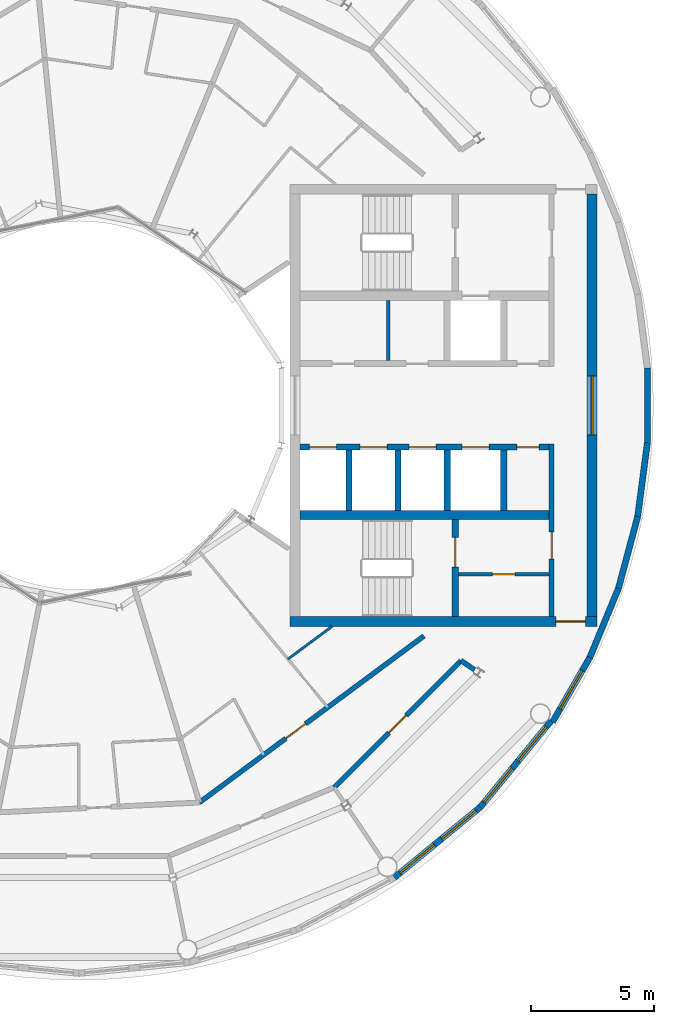
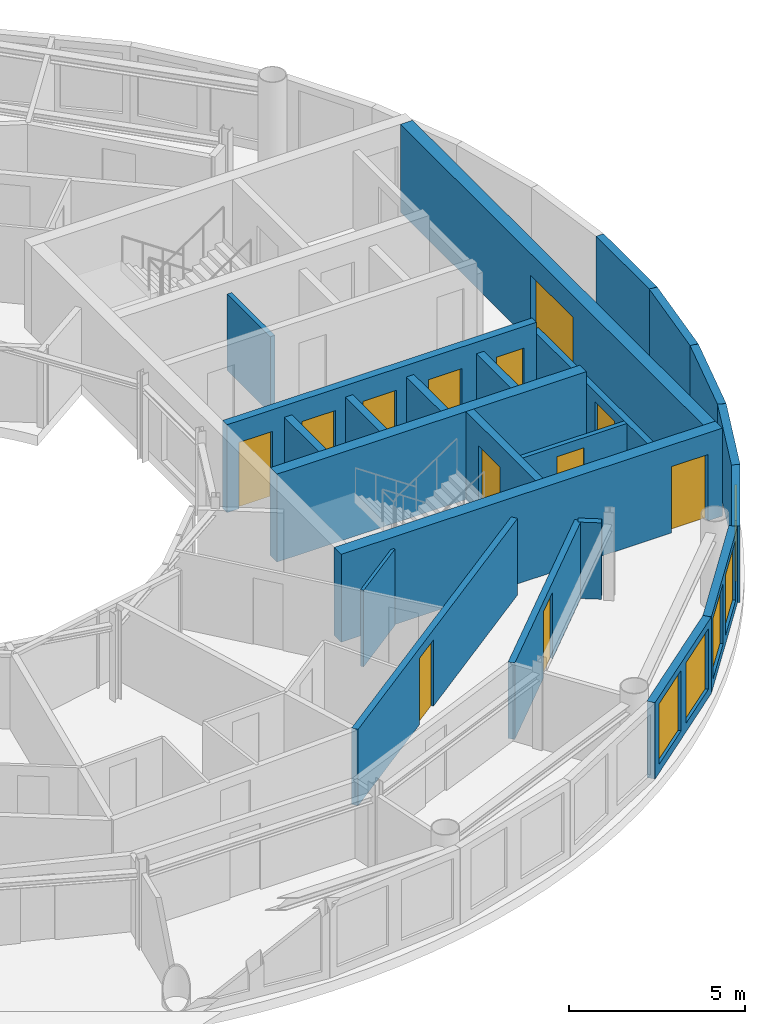
# One storey, part 11 of 17: 23 walls, 11 doors, 6 windows, 17 openings.
"""IFC4 building model written with IfcOpenShell, lengths in metres."""

from ifc_helpers import new_model, si_unit, direction, frame, frame_2d, origin, place, context, subcontext, project, spatial, rectangle, extrude, material, layer, layer_set, type_object, element, fill, save


model = new_model("IFC4")

# Units and contexts
model_context = context("Model", 3, precision=1e-05, world=origin(), true_north=direction((0.0, 1.0)))
body_context = subcontext(model_context, "Body", "Model", "MODEL_VIEW")
ifc_project = project(units=[si_unit("LENGTHUNIT", "METRE"), si_unit("AREAUNIT", "SQUARE_METRE"), si_unit("VOLUMEUNIT", "CUBIC_METRE"), si_unit("PLANEANGLEUNIT", "RADIAN"), si_unit("MASSUNIT", "GRAM", prefix="KILO")], contexts=[model_context])

# Site, building, storey
site_placement = place(None, origin())
site = spatial("IfcSite", under=ifc_project, at=site_placement, CompositionType="ELEMENT")
building_placement = place(site_placement, origin())
building = spatial("IfcBuilding", under=site, at=building_placement, Name="Maasbend Ring Residences", CompositionType="ELEMENT")
storey_placement = place(building_placement, frame((0.0, 0.0, 252.35009765625)))
storey = spatial("IfcBuildingStorey", under=building, at=storey_placement, Name="L73", CompositionType="ELEMENT", Elevation=252.35009765625)

# Wall, openings, doors
ifc_material_1 = material(Name="Concrete C50/60", Category="concrete")
ifc_layer_1 = layer(ifc_material_1, 0.25)
ifc_layer_set_1 = layer_set([ifc_layer_1], Name="Concrete C50/60")
wall_type_1 = type_object("IfcWallType", Name="CORE WALL 250 C50/60", PredefinedType="SHEAR", material=ifc_layer_set_1)
wall_1_placement = place(storey_placement, frame((19.14990234375, -1.699951171875, 0.0), z_axis=(0.0, 0.0, 1.0), x_axis=(-1.0, 0.0, 0.0)))
wall_1 = element("IfcWall", 1, at=wall_1_placement, inside=storey, type_object=wall_type_1, Name="L73 core E wall SPS", PredefinedType="SHEAR", context=body_context, shape_type="SweptSolid", body=[
    extrude(rectangle(XDim=10.14990234375, YDim=0.25, at=frame_2d((5.074951171875, 0.0))), origin(), (0.0, 0.0, 1.0), 3.0498046875),
])
opening_1_placement = place(wall_1_placement, frame((8.66259765625, 0.0, 0.0)))
opening_1 = element("IfcOpeningElement", 2, at=opening_1_placement, cuts=wall_1, Name="Opening LD-E7302", PredefinedType="OPENING", context=body_context, shape_type="SweptSolid", body=[
    extrude(rectangle(XDim=1.10009765625, YDim=2.300048828125, at=frame_2d((0.550048828125, 1.14990234375))), frame((0.0, 0.135009765625, 0.0), z_axis=(0.0, -1.0, 0.0), x_axis=(1.0, 0.0, 0.0)), (0.0, 0.0, 1.0), 0.27001953125),
])
opening_2_placement = place(wall_1_placement, frame((6.60009765625, 0.0, 0.0)))
opening_2 = element("IfcOpeningElement", 3, at=opening_2_placement, cuts=wall_1, Name="Opening LD-E7303", PredefinedType="OPENING", context=body_context, shape_type="SweptSolid", body=[
    extrude(rectangle(XDim=1.10009765625, YDim=2.300048828125, at=frame_2d((0.550048828125, 1.14990234375))), frame((0.0, 0.135009765625, 0.0), z_axis=(0.0, -1.0, 0.0), x_axis=(1.0, 0.0, 0.0)), (0.0, 0.0, 1.0), 0.27001953125),
])
opening_3_placement = place(wall_1_placement, frame((4.60009765625, 0.0, 0.0)))
opening_3 = element("IfcOpeningElement", 4, at=opening_3_placement, cuts=wall_1, Name="Opening LD-E7304", PredefinedType="OPENING", context=body_context, shape_type="SweptSolid", body=[
    extrude(rectangle(XDim=1.10009765625, YDim=2.300048828125, at=frame_2d((0.550048828125, 1.14990234375))), frame((0.0, 0.135009765625, 0.0), z_axis=(0.0, -1.0, 0.0), x_axis=(1.0, 0.0, 0.0)), (0.0, 0.0, 1.0), 0.27001953125),
])
opening_4_placement = place(wall_1_placement, frame((2.449951171875, 0.0, 0.0)))
opening_4 = element("IfcOpeningElement", 5, at=opening_4_placement, cuts=wall_1, Name="Opening LD-E7305", PredefinedType="OPENING", context=body_context, shape_type="SweptSolid", body=[
    extrude(rectangle(XDim=1.10009765625, YDim=2.300048828125, at=frame_2d((0.550048828125, 1.14990234375))), frame((0.0, 0.135009765625, 0.0), z_axis=(0.0, -1.0, 0.0), x_axis=(1.0, 0.0, 0.0)), (0.0, 0.0, 1.0), 0.27001953125),
])
opening_5_placement = place(wall_1_placement, frame((0.41259765625, 0.0, 0.0)))
opening_5 = element("IfcOpeningElement", 6, at=opening_5_placement, cuts=wall_1, Name="Opening D-E7309", PredefinedType="OPENING", context=body_context, shape_type="SweptSolid", body=[
    extrude(rectangle(XDim=0.89990234375, YDim=2.300048828125, at=frame_2d((0.449951171875, 1.14990234375))), frame((0.0, 0.135009765625, 0.0), z_axis=(0.0, -1.0, 0.0), x_axis=(1.0, 0.0, 0.0)), (0.0, 0.0, 1.0), 0.27001953125),
])
ifc_material_2 = material(Name="Stainless steel 316", Category="steel")
door_type_1 = type_object("IfcDoorType", Name="LANDING DOOR 1100 X 2300 FD60", OperationType="DOUBLE_DOOR_SLIDING", PredefinedType="DOOR", material=ifc_material_2)
door_1_placement = place(opening_1_placement, origin())
door_1 = element("IfcDoor", 7, at=door_1_placement, inside=storey, type_object=door_type_1, Name="Landing door HR-E1 L73", OperationType="DOUBLE_DOOR_SLIDING", OverallHeight=2.300048828125, OverallWidth=1.10009765625, PredefinedType="DOOR", context=body_context, shape_type="SweptSolid", body=[
    extrude(rectangle(XDim=1.10009765625, YDim=2.300048828125, at=frame_2d((0.550048828125, 1.14990234375))), frame((0.0, 0.02490234375, 0.0), z_axis=(0.0, -1.0, 0.0), x_axis=(1.0, 0.0, 0.0)), (0.0, 0.0, 1.0), 0.050048828125),
])
fill(opening_1, door_1)
door_2_placement = place(opening_2_placement, origin())
door_2 = element("IfcDoor", 8, at=door_2_placement, inside=storey, type_object=door_type_1, Name="Landing door HR-E2 L73", OperationType="DOUBLE_DOOR_SLIDING", OverallHeight=2.300048828125, OverallWidth=1.10009765625, PredefinedType="DOOR", context=body_context, shape_type="SweptSolid", body=[
    extrude(rectangle(XDim=1.10009765625, YDim=2.300048828125, at=frame_2d((0.550048828125, 1.14990234375))), frame((0.0, 0.02490234375, 0.0), z_axis=(0.0, -1.0, 0.0), x_axis=(1.0, 0.0, 0.0)), (0.0, 0.0, 1.0), 0.050048828125),
])
fill(opening_2, door_2)
door_3_placement = place(opening_3_placement, origin())
door_3 = element("IfcDoor", 9, at=door_3_placement, inside=storey, type_object=door_type_1, Name="Landing door HR-E3 L73", OperationType="DOUBLE_DOOR_SLIDING", OverallHeight=2.300048828125, OverallWidth=1.10009765625, PredefinedType="DOOR", context=body_context, shape_type="SweptSolid", body=[
    extrude(rectangle(XDim=1.10009765625, YDim=2.300048828125, at=frame_2d((0.550048828125, 1.14990234375))), frame((0.0, 0.02490234375, 0.0), z_axis=(0.0, -1.0, 0.0), x_axis=(1.0, 0.0, 0.0)), (0.0, 0.0, 1.0), 0.050048828125),
])
fill(opening_3, door_3)
door_4_placement = place(opening_4_placement, origin())
door_4 = element("IfcDoor", 10, at=door_4_placement, inside=storey, type_object=door_type_1, Name="Landing door SV-E L73", OperationType="DOUBLE_DOOR_SLIDING", OverallHeight=2.300048828125, OverallWidth=1.10009765625, PredefinedType="DOOR", context=body_context, shape_type="SweptSolid", body=[
    extrude(rectangle(XDim=1.10009765625, YDim=2.300048828125, at=frame_2d((0.550048828125, 1.14990234375))), frame((0.0, 0.02490234375, 0.0), z_axis=(0.0, -1.0, 0.0), x_axis=(1.0, 0.0, 0.0)), (0.0, 0.0, 1.0), 0.050048828125),
])
fill(opening_4, door_4)
ifc_material_3 = material(Name="Steel, powder coated", Category="steel")
door_type_2 = type_object("IfcDoorType", Name="ROOM DOOR 900 X 2300 FD30S", OperationType="NOTDEFINED", PredefinedType="DOOR", material=ifc_material_3)
door_5_placement = place(opening_5_placement, origin())
door_5 = element("IfcDoor", 11, at=door_5_placement, inside=storey, type_object=door_type_2, Name="Room door L73", OperationType="SINGLE_SWING_RIGHT", OverallHeight=2.300048828125, OverallWidth=0.89990234375, PredefinedType="DOOR", context=body_context, shape_type="SweptSolid", body=[
    extrude(rectangle(XDim=0.89990234375, YDim=2.300048828125, at=frame_2d((0.449951171875, 1.14990234375))), frame((0.0, 0.02490234375, 0.0), z_axis=(0.0, -1.0, 0.0), x_axis=(1.0, 0.0, 0.0)), (0.0, 0.0, 1.0), 0.050048828125),
])
fill(opening_5, door_5)

# Wall, opening, door
wall_2_placement = place(storey_placement, frame((15.324951171875, -8.60009765625, 0.0), z_axis=(0.0, 0.0, 1.0), x_axis=(0.0, 1.0, 0.0)))
wall_2 = element("IfcWall", 12, at=wall_2_placement, inside=storey, type_object=wall_type_1, Name="L73 core E wall STES", PredefinedType="SHEAR", context=body_context, shape_type="SweptSolid", body=[
    extrude(rectangle(XDim=3.9501953125, YDim=0.25, at=frame_2d((1.97509765625, 0.0))), origin(), (0.0, 0.0, 1.0), 3.0498046875),
])
opening_6_placement = place(wall_2_placement, frame((2.02490234375, 0.0, 0.0)))
opening_6 = element("IfcOpeningElement", 13, at=opening_6_placement, cuts=wall_2, Name="Opening D-E7312", PredefinedType="OPENING", context=body_context, shape_type="SweptSolid", body=[
    extrude(rectangle(XDim=1.199951171875, YDim=2.300048828125, at=frame_2d((0.60009765625, 1.14990234375))), frame((0.0, 0.135009765625, 0.0), z_axis=(0.0, -1.0, 0.0), x_axis=(1.0, 0.0, 0.0)), (0.0, 0.0, 1.0), 0.27001953125),
])
ifc_material_4 = material(Name="Steel, powder coated", Category="steel")
door_type_3 = type_object("IfcDoorType", Name="STAIR DOOR 1200 X 2300 FD60", OperationType="NOTDEFINED", PredefinedType="DOOR", material=ifc_material_4)
door_6_placement = place(opening_6_placement, origin())
door_6 = element("IfcDoor", 14, at=door_6_placement, inside=storey, type_object=door_type_3, Name="Stair door ST-E L73", OperationType="SINGLE_SWING_LEFT", OverallHeight=2.300048828125, OverallWidth=1.199951171875, PredefinedType="DOOR", context=body_context, shape_type="SweptSolid", body=[
    extrude(rectangle(XDim=1.199951171875, YDim=2.300048828125, at=frame_2d((0.60009765625, 1.14990234375))), frame((0.0, 0.02490234375, 0.0), z_axis=(0.0, -1.0, 0.0), x_axis=(1.0, 0.0, 0.0)), (0.0, 0.0, 1.0), 0.050048828125),
])
fill(opening_6, door_6)

# Wall
ifc_material_5 = material(Name="Concrete C50/60", Category="concrete")
ifc_layer_2 = layer(ifc_material_5, 0.375)
ifc_layer_set_2 = layer_set([ifc_layer_2], Name="Concrete C50/60")
wall_type_2 = type_object("IfcWallType", Name="CORE WALL 375 C50/60", PredefinedType="SHEAR", material=ifc_layer_set_2)
wall_3_placement = place(storey_placement, frame((9.0, -4.46240234375, 0.0), z_axis=(0.0, 0.0, 1.0), x_axis=(1.0, 0.0, 0.0)))
element("IfcWall", 15, at=wall_3_placement, inside=storey, type_object=wall_type_2, Name="L73 core E wall BS", PredefinedType="SHEAR", context=body_context, shape_type="SweptSolid", body=[
    extrude(rectangle(XDim=10.14990234375, YDim=0.375, at=frame_2d((5.074951171875, 0.0))), origin(), (0.0, 0.0, 1.0), 3.0498046875),
])

# Wall, opening, door
ifc_material_6 = material(Name="Concrete C50/60", Category="concrete")
ifc_layer_3 = layer(ifc_material_6, 0.39990234375)
ifc_layer_set_3 = layer_set([ifc_layer_3], Name="Concrete C50/60")
wall_type_3 = type_object("IfcWallType", Name="CORE WALL 400 C50/60", PredefinedType="SHEAR", material=ifc_layer_set_3)
wall_4_placement = place(storey_placement, frame((8.60009765625, -8.800048828125, 0.0), z_axis=(0.0, 0.0, 1.0), x_axis=(1.0, 0.0, 0.0)))
wall_4 = element("IfcWall", 16, at=wall_4_placement, inside=storey, type_object=wall_type_3, Name="L73 core E wall PS", PredefinedType="SHEAR", context=body_context, shape_type="SweptSolid", body=[
    extrude(rectangle(XDim=12.5, YDim=0.39990234375, at=frame_2d((6.25, 0.0))), origin(), (0.0, 0.0, 1.0), 3.0498046875),
])
opening_7_placement = place(wall_4_placement, frame((10.824951171875, 0.0, 0.0)))
opening_7 = element("IfcOpeningElement", 17, at=opening_7_placement, cuts=wall_4, Name="Opening D-E7316", PredefinedType="OPENING", context=body_context, shape_type="SweptSolid", body=[
    extrude(rectangle(XDim=1.199951171875, YDim=2.300048828125, at=frame_2d((0.60009765625, 1.14990234375))), frame((0.0, 0.2099609375, 0.0), z_axis=(0.0, -1.0, 0.0), x_axis=(1.0, 0.0, 0.0)), (0.0, 0.0, 1.0), 0.419921875),
])
ifc_material_7 = material(Name="Steel, powder coated", Category="steel")
door_type_4 = type_object("IfcDoorType", Name="CORRIDOR DOOR 1200 X 2300 FD30S", OperationType="NOTDEFINED", PredefinedType="DOOR", material=ifc_material_7)
door_7_placement = place(opening_7_placement, origin())
door_7 = element("IfcDoor", 18, at=door_7_placement, inside=storey, type_object=door_type_4, Name="Corridor door L73", OperationType="SINGLE_SWING_LEFT", OverallHeight=2.300048828125, OverallWidth=1.199951171875, PredefinedType="DOOR", context=body_context, shape_type="SweptSolid", body=[
    extrude(rectangle(XDim=1.199951171875, YDim=2.300048828125, at=frame_2d((0.60009765625, 1.14990234375))), frame((0.0, 0.02490234375, 0.0), z_axis=(0.0, -1.0, 0.0), x_axis=(1.0, 0.0, 0.0)), (0.0, 0.0, 1.0), 0.050048828125),
])
fill(opening_7, door_7)

# Wall, opening, window
wall_5_placement = place(storey_placement, frame((20.89990234375, -8.60009765625, 0.0), z_axis=(0.0, 0.0, 1.0), x_axis=(0.0, 1.0, 0.0)))
wall_5 = element("IfcWall", 19, at=wall_5_placement, inside=storey, type_object=wall_type_3, Name="L73 core E wall POUT", PredefinedType="SHEAR", context=body_context, shape_type="SweptSolid", body=[
    extrude(rectangle(XDim=17.2001953125, YDim=0.39990234375, at=frame_2d((8.60009765625, 0.0))), origin(), (0.0, 0.0, 1.0), 3.0498046875),
])
opening_8_placement = place(wall_5_placement, frame((7.39990234375, 0.0, 0.10009765625)))
opening_8 = element("IfcOpeningElement", 20, at=opening_8_placement, cuts=wall_5, Name="Opening W-E7302", PredefinedType="OPENING", context=body_context, shape_type="SweptSolid", body=[
    extrude(rectangle(XDim=2.39990234375, YDim=2.199951171875, at=frame_2d((1.199951171875, 1.10009765625))), frame((0.0, 0.2099609375, 0.0), z_axis=(0.0, -1.0, 0.0), x_axis=(1.0, 0.0, 0.0)), (0.0, 0.0, 1.0), 0.419921875),
])
ifc_material_8 = material(Name="Aluminium frame and clear glass", Category="aluminium")
window_type_1 = type_object("IfcWindowType", Name="FIXED WINDOW 2400 X 2200", PartitioningType="SINGLE_PANEL", PredefinedType="WINDOW", material=ifc_material_8)
window_1_placement = place(opening_8_placement, origin())
window_1 = element("IfcWindow", 21, at=window_1_placement, inside=storey, type_object=window_type_1, Name="Lobby window L73", OverallHeight=2.199951171875, OverallWidth=2.39990234375, PartitioningType="SINGLE_PANEL", PredefinedType="WINDOW", context=body_context, shape_type="SweptSolid", body=[
    extrude(rectangle(XDim=2.39990234375, YDim=2.199951171875, at=frame_2d((1.199951171875, 1.10009765625))), frame((0.0, 0.030029296875, 0.0), z_axis=(0.0, -1.0, 0.0), x_axis=(1.0, 0.0, 0.0)), (0.0, 0.0, 1.0), 0.06005859375),
])
fill(opening_8, window_1)

# Wall, opening, door
ifc_material_9 = material(Name="Concrete C30/37", Category="concrete")
ifc_layer_4 = layer(ifc_material_9, 0.199951171875)
ifc_layer_set_4 = layer_set([ifc_layer_4], Name="Concrete C30/37")
wall_type_4 = type_object("IfcWallType", Name="CORRIDOR WALL 200 CONCRETE", PredefinedType="PARTITIONING", material=ifc_layer_set_4)
wall_6_placement = place(storey_placement, frame((10.39501953125, -15.556884765625, 0.0), z_axis=(0.0, 0.0, 1.0), x_axis=(0.707106781187, 0.707106781187, 0.0)))
wall_6 = element("IfcWall", 22, at=wall_6_placement, inside=storey, type_object=wall_type_4, Name="U-L73-w004", PredefinedType="PARTITIONING", context=body_context, shape_type="SweptSolid", body=[
    extrude(rectangle(XDim=7.300048828125, YDim=0.199951171875, at=frame_2d((3.64990234375, 0.0))), origin(), (0.0, 0.0, 1.0), 2.64990234375),
])
opening_9_placement = place(wall_6_placement, frame((3.14990234375, 0.0, 0.0)))
opening_9 = element("IfcOpeningElement", 23, at=opening_9_placement, cuts=wall_6, Name="Opening D-7310", PredefinedType="OPENING", context=body_context, shape_type="SweptSolid", body=[
    extrude(rectangle(XDim=1.0, YDim=2.300048828125, at=frame_2d((0.5, 1.14990234375))), frame((0.0, 0.10986328125, 0.0), z_axis=(0.0, -1.0, 0.0), x_axis=(1.0, 0.0, 0.0)), (0.0, 0.0, 1.0), 0.219970703125),
])
ifc_material_10 = material(Name="Timber, painted", Category="wood")
door_type_5 = type_object("IfcDoorType", Name="ROOM DOOR 1000 X 2300", OperationType="NOTDEFINED", PredefinedType="DOOR", material=ifc_material_10)
door_8_placement = place(opening_9_placement, origin())
door_8 = element("IfcDoor", 24, at=door_8_placement, inside=storey, type_object=door_type_5, Name="D-7310", OperationType="SINGLE_SWING_LEFT", OverallHeight=2.300048828125, OverallWidth=1.0, PredefinedType="DOOR", context=body_context, shape_type="SweptSolid", body=[
    extrude(rectangle(XDim=1.0, YDim=2.300048828125, at=frame_2d((0.5, 1.14990234375))), frame((0.0, 0.02490234375, 0.0), z_axis=(0.0, -1.0, 0.0), x_axis=(1.0, 0.0, 0.0)), (0.0, 0.0, 1.0), 0.050048828125),
])
fill(opening_9, door_8)

wall_7_placement = place(storey_placement, frame((4.906005859375, -16.172119140625, 0.0), z_axis=(0.0, 0.0, 1.0), x_axis=(0.803204584823, 0.59570327758, 0.0)))
wall_7 = element("IfcWall", 25, at=wall_7_placement, inside=storey, type_object=wall_type_4, Name="U-L73-w007", PredefinedType="PARTITIONING", context=body_context, shape_type="SweptSolid", body=[
    extrude(rectangle(XDim=11.386962890625, YDim=0.199951171875, at=frame_2d((5.693359375, 0.0))), origin(), (0.0, 0.0, 1.0), 2.64990234375),
])
opening_10_placement = place(wall_7_placement, frame((4.3798828125, 0.0, 0.0)))
opening_10 = element("IfcOpeningElement", 26, at=opening_10_placement, cuts=wall_7, Name="Opening D-7330", PredefinedType="OPENING", context=body_context, shape_type="SweptSolid", body=[
    extrude(rectangle(XDim=1.0, YDim=2.300048828125, at=frame_2d((0.5, 1.14990234375))), frame((0.0, 0.10986328125, 0.0), z_axis=(0.0, -1.0, 0.0), x_axis=(1.0, 0.0, 0.0)), (0.0, 0.0, 1.0), 0.219970703125),
])
ifc_material_11 = material(Name="Timber, fire-rated, painted", Category="wood")
door_type_6 = type_object("IfcDoorType", Name="FLAT ENTRANCE DOOR 1000 X 2300 FIRE-RATED", OperationType="NOTDEFINED", PredefinedType="DOOR", material=ifc_material_11)
door_9_placement = place(opening_10_placement, origin())
door_9 = element("IfcDoor", 27, at=door_9_placement, inside=storey, type_object=door_type_6, Name="D-7330", OperationType="SINGLE_SWING_LEFT", OverallHeight=2.300048828125, OverallWidth=1.0, PredefinedType="DOOR", context=body_context, shape_type="SweptSolid", body=[
    extrude(rectangle(XDim=1.0, YDim=2.300048828125, at=frame_2d((0.5, 1.14990234375))), frame((0.0, 0.02490234375, 0.0), z_axis=(0.0, -1.0, 0.0), x_axis=(1.0, 0.0, 0.0)), (0.0, 0.0, 1.0), 0.050048828125),
])
fill(opening_10, door_9)

# Wall
wall_8_placement = place(storey_placement, frame((15.556884765625, -10.39501953125, 0.0), z_axis=(0.0, 0.0, 1.0), x_axis=(0.831601508083, -0.555372786292, 0.0)))
element("IfcWall", 28, at=wall_8_placement, inside=storey, type_object=wall_type_4, Name="U-L73-w053", PredefinedType="PARTITIONING", context=body_context, shape_type="SweptSolid", body=[
    extrude(rectangle(XDim=0.669921875, YDim=0.199951171875, at=frame_2d((0.3349609375, 0.0))), origin(), (0.0, 0.0, 1.0), 2.64990234375),
])

# Wall, openings, windows
ifc_material_12 = material(Name="Aluminium clad insulated panel", Category="aluminium")
ifc_layer_5 = layer(ifc_material_12, 0.25)
ifc_layer_set_5 = layer_set([ifc_layer_5], Name="EW-GL")
wall_type_5 = type_object("IfcWallType", Name="EW-GL", PredefinedType="SOLIDWALL", material=ifc_layer_set_5)
wall_9_placement = place(storey_placement, frame((12.847900390625, -19.22802734375, 0.0), z_axis=(0.0, 0.0, 1.0), x_axis=(0.772989395532, 0.634418942337, 0.0)))
wall_9 = element("IfcWall", 29, at=wall_9_placement, inside=storey, type_object=wall_type_5, Name="External wall S09", PredefinedType="SOLIDWALL", context=body_context, shape_type="SweptSolid", body=[
    extrude(rectangle(XDim=4.533203125, YDim=0.25, at=frame_2d((2.2666015625, 0.0))), origin(), (0.0, 0.0, 1.0), 2.64990234375),
])
opening_11_placement = place(wall_9_placement, frame((0.300048828125, 0.0, 0.300048828125)))
opening_11 = element("IfcOpeningElement", 30, at=opening_11_placement, cuts=wall_9, Name="Opening W-BX", PredefinedType="OPENING", context=body_context, shape_type="SweptSolid", body=[
    extrude(rectangle(XDim=1.800048828125, YDim=2.10009765625, at=frame_2d((0.89990234375, 1.050048828125))), frame((0.0, 0.135009765625, 0.0), z_axis=(0.0, -1.0, 0.0), x_axis=(1.0, 0.0, 0.0)), (0.0, 0.0, 1.0), 0.27001953125),
])
opening_12_placement = place(wall_9_placement, frame((2.497314453125, 0.0, 0.300048828125)))
opening_12 = element("IfcOpeningElement", 31, at=opening_12_placement, cuts=wall_9, Name="Opening W-BX", PredefinedType="OPENING", context=body_context, shape_type="SweptSolid", body=[
    extrude(rectangle(XDim=1.800048828125, YDim=2.10009765625, at=frame_2d((0.89990234375, 1.050048828125))), frame((0.0, 0.135009765625, 0.0), z_axis=(0.0, -1.0, 0.0), x_axis=(1.0, 0.0, 0.0)), (0.0, 0.0, 1.0), 0.27001953125),
])
ifc_material_13 = material(Name="Aluminium and clear glass", Category="aluminium")
window_type_2 = type_object("IfcWindowType", Name="W-BX", PartitioningType="DOUBLE_PANEL_VERTICAL", PredefinedType="WINDOW", material=ifc_material_13)
window_2_placement = place(opening_11_placement, origin())
window_2 = element("IfcWindow", 32, at=window_2_placement, inside=storey, type_object=window_type_2, Name="Window S17", OverallHeight=2.10009765625, OverallWidth=1.800048828125, PartitioningType="SINGLE_PANEL", PredefinedType="WINDOW", context=body_context, shape_type="SweptSolid", body=[
    extrude(rectangle(XDim=1.800048828125, YDim=2.10009765625, at=frame_2d((0.89990234375, 1.050048828125))), frame((0.0, 0.030029296875, 0.0), z_axis=(0.0, -1.0, 0.0), x_axis=(1.0, 0.0, 0.0)), (0.0, 0.0, 1.0), 0.06005859375),
])
fill(opening_11, window_2)
window_3_placement = place(opening_12_placement, origin())
window_3 = element("IfcWindow", 33, at=window_3_placement, inside=storey, type_object=window_type_2, Name="Window S18", OverallHeight=2.10009765625, OverallWidth=1.800048828125, PartitioningType="SINGLE_PANEL", PredefinedType="WINDOW", context=body_context, shape_type="SweptSolid", body=[
    extrude(rectangle(XDim=1.800048828125, YDim=2.10009765625, at=frame_2d((0.89990234375, 1.050048828125))), frame((0.0, 0.030029296875, 0.0), z_axis=(0.0, -1.0, 0.0), x_axis=(1.0, 0.0, 0.0)), (0.0, 0.0, 1.0), 0.06005859375),
])
fill(opening_12, window_3)

wall_10_placement = place(storey_placement, frame((16.35205078125, -16.35205078125, 0.0), z_axis=(0.0, 0.0, 1.0), x_axis=(0.634418942337, 0.772989395532, 0.0)))
wall_10 = element("IfcWall", 34, at=wall_10_placement, inside=storey, type_object=wall_type_5, Name="External wall S10", PredefinedType="SOLIDWALL", context=body_context, shape_type="SweptSolid", body=[
    extrude(rectangle(XDim=4.533203125, YDim=0.25, at=frame_2d((2.2666015625, 0.0))), origin(), (0.0, 0.0, 1.0), 2.64990234375),
])
opening_13_placement = place(wall_10_placement, frame((0.236083984375, 0.0, 0.300048828125)))
opening_13 = element("IfcOpeningElement", 35, at=opening_13_placement, cuts=wall_10, Name="Opening W-BX", PredefinedType="OPENING", context=body_context, shape_type="SweptSolid", body=[
    extrude(rectangle(XDim=1.800048828125, YDim=2.10009765625, at=frame_2d((0.89990234375, 1.050048828125))), frame((0.0, 0.135009765625, 0.0), z_axis=(0.0, -1.0, 0.0), x_axis=(1.0, 0.0, 0.0)), (0.0, 0.0, 1.0), 0.27001953125),
])
opening_14_placement = place(wall_10_placement, frame((2.4267578125, 0.0, 0.300048828125)))
opening_14 = element("IfcOpeningElement", 36, at=opening_14_placement, cuts=wall_10, Name="Opening W-BX", PredefinedType="OPENING", context=body_context, shape_type="SweptSolid", body=[
    extrude(rectangle(XDim=1.800048828125, YDim=2.10009765625, at=frame_2d((0.89990234375, 1.050048828125))), frame((0.0, 0.135009765625, 0.0), z_axis=(0.0, -1.0, 0.0), x_axis=(1.0, 0.0, 0.0)), (0.0, 0.0, 1.0), 0.27001953125),
])
window_4_placement = place(opening_13_placement, origin())
window_4 = element("IfcWindow", 37, at=window_4_placement, inside=storey, type_object=window_type_2, Name="Window S19", OverallHeight=2.10009765625, OverallWidth=1.800048828125, PartitioningType="SINGLE_PANEL", PredefinedType="WINDOW", context=body_context, shape_type="SweptSolid", body=[
    extrude(rectangle(XDim=1.800048828125, YDim=2.10009765625, at=frame_2d((0.89990234375, 1.050048828125))), frame((0.0, 0.030029296875, 0.0), z_axis=(0.0, -1.0, 0.0), x_axis=(1.0, 0.0, 0.0)), (0.0, 0.0, 1.0), 0.06005859375),
])
fill(opening_13, window_4)
window_5_placement = place(opening_14_placement, origin())
window_5 = element("IfcWindow", 38, at=window_5_placement, inside=storey, type_object=window_type_2, Name="Window S20", OverallHeight=2.10009765625, OverallWidth=1.800048828125, PartitioningType="SINGLE_PANEL", PredefinedType="WINDOW", context=body_context, shape_type="SweptSolid", body=[
    extrude(rectangle(XDim=1.800048828125, YDim=2.10009765625, at=frame_2d((0.89990234375, 1.050048828125))), frame((0.0, 0.030029296875, 0.0), z_axis=(0.0, -1.0, 0.0), x_axis=(1.0, 0.0, 0.0)), (0.0, 0.0, 1.0), 0.06005859375),
])
fill(opening_14, window_5)

# Wall, opening, window
ifc_material_14 = material(Name="Aluminium clad insulated panel", Category="aluminium")
ifc_layer_6 = layer(ifc_material_14, 0.25)
ifc_layer_set_6 = layer_set([ifc_layer_6], Name="EW-HORN")
wall_type_6 = type_object("IfcWallType", Name="EW-HORN", PredefinedType="SOLIDWALL", material=ifc_layer_set_6)
wall_11_placement = place(storey_placement, frame((19.2900390625, -12.888916015625, 0.0), z_axis=(0.0, 0.0, 1.0), x_axis=(0.499903546559, 0.866081084043, 0.0)))
wall_11 = element("IfcWall", 39, at=wall_11_placement, inside=storey, type_object=wall_type_6, Name="Horn wall 1.1", PredefinedType="SOLIDWALL", context=body_context, shape_type="SweptSolid", body=[
    extrude(rectangle(XDim=3.0341796875, YDim=0.25, at=frame_2d((1.51708984375, 0.0))), origin(), (0.0, 0.0, 1.0), 2.64990234375),
])
opening_15_placement = place(wall_11_placement, frame((0.617431640625, 0.0, 0.300048828125)))
opening_15 = element("IfcOpeningElement", 40, at=opening_15_placement, cuts=wall_11, Name="Opening W-BX", PredefinedType="OPENING", context=body_context, shape_type="SweptSolid", body=[
    extrude(rectangle(XDim=1.800048828125, YDim=2.10009765625, at=frame_2d((0.89990234375, 1.050048828125))), frame((0.0, 0.135009765625, 0.0), z_axis=(0.0, -1.0, 0.0), x_axis=(1.0, 0.0, 0.0)), (0.0, 0.0, 1.0), 0.27001953125),
])
window_6_placement = place(opening_15_placement, origin())
window_6 = element("IfcWindow", 41, at=window_6_placement, inside=storey, type_object=window_type_2, Name="Horn window 1.1", OverallHeight=2.10009765625, OverallWidth=1.800048828125, PartitioningType="SINGLE_PANEL", PredefinedType="WINDOW", context=body_context, shape_type="SweptSolid", body=[
    extrude(rectangle(XDim=1.800048828125, YDim=2.10009765625, at=frame_2d((0.89990234375, 1.050048828125))), frame((0.0, 0.030029296875, 0.0), z_axis=(0.0, -1.0, 0.0), x_axis=(1.0, 0.0, 0.0)), (0.0, 0.0, 1.0), 0.06005859375),
])
fill(opening_15, window_6)

# Walls
ifc_material_15 = material(Name="Louvred aluminium panel", Category="aluminium")
ifc_layer_7 = layer(ifc_material_15, 0.25)
ifc_layer_set_7 = layer_set([ifc_layer_7], Name="EW-LV")
wall_type_7 = type_object("IfcWallType", Name="EW-LV", PredefinedType="SOLIDWALL", material=ifc_layer_set_7)
wall_12_placement = place(storey_placement, frame((20.806884765625, -10.260986328125, 0.0), z_axis=(0.0, 0.0, 1.0), x_axis=(0.382872724993, 0.923801102216, 0.0)))
element("IfcWall", 42, at=wall_12_placement, inside=storey, type_object=wall_type_7, Name="Horn wall 1.2", PredefinedType="SOLIDWALL", context=body_context, shape_type="SweptSolid", body=[
    extrude(rectangle(XDim=3.03515625, YDim=0.25, at=frame_2d((1.517578125, 0.0))), origin(), (0.0, 0.0, 1.0), 2.64990234375),
])
wall_13_placement = place(storey_placement, frame((21.968994140625, -7.45703125, 0.0), z_axis=(0.0, 0.0, 1.0), x_axis=(0.258669057101, 0.965966002972, 0.0)))
element("IfcWall", 43, at=wall_13_placement, inside=storey, type_object=wall_type_7, Name="Horn wall 1.3", PredefinedType="SOLIDWALL", context=body_context, shape_type="SweptSolid", body=[
    extrude(rectangle(XDim=3.034423828125, YDim=0.25, at=frame_2d((1.51708984375, 0.0))), origin(), (0.0, 0.0, 1.0), 2.64990234375),
])
wall_14_placement = place(storey_placement, frame((22.75390625, -4.52587890625, 0.0), z_axis=(0.0, 0.0, 1.0), x_axis=(0.130487809173, 0.991449913842, 0.0)))
element("IfcWall", 44, at=wall_14_placement, inside=storey, type_object=wall_type_7, Name="Horn wall 1.4", PredefinedType="SOLIDWALL", context=body_context, shape_type="SweptSolid", body=[
    extrude(rectangle(XDim=3.03466796875, YDim=0.25, at=frame_2d((1.517333984375, 0.0))), origin(), (0.0, 0.0, 1.0), 2.64990234375),
])
wall_15_placement = place(storey_placement, frame((23.14990234375, -1.51708984375, 0.0), z_axis=(0.0, 0.0, 1.0), x_axis=(0.0, 1.0, 0.0)))
element("IfcWall", 45, at=wall_15_placement, inside=storey, type_object=wall_type_7, Name="Horn wall 1.5", PredefinedType="SOLIDWALL", context=body_context, shape_type="SweptSolid", body=[
    extrude(rectangle(XDim=3.0341796875, YDim=0.25, at=frame_2d((1.51708984375, 0.0))), origin(), (0.0, 0.0, 1.0), 2.64990234375),
])
ifc_material_16 = material(Name="Gypsum board on steel studs", Category="steel")
ifc_layer_8 = layer(ifc_material_16, 0.10009765625)
ifc_layer_set_8 = layer_set([ifc_layer_8], Name="PARTITION 100 GYPSUM")
wall_type_8 = type_object("IfcWallType", Name="PARTITION 100 GYPSUM", PredefinedType="PARTITIONING", material=ifc_layer_set_8)
wall_16_placement = place(storey_placement, frame((8.512939453125, -10.33203125, 0.0), z_axis=(0.0, 0.0, 1.0), x_axis=(0.803224407806, 0.595676548728, 0.0)))
element("IfcWall", 46, at=wall_16_placement, inside=storey, type_object=wall_type_8, Name="U-L73-w012", PredefinedType="PARTITIONING", context=body_context, shape_type="SweptSolid", body=[
    extrude(rectangle(XDim=2.236083984375, YDim=0.10009765625, at=frame_2d((1.1181640625, 0.0))), origin(), (0.0, 0.0, 1.0), 2.64990234375),
])
ifc_material_17 = material(Name="Gypsum board on steel studs", Category="steel")
ifc_layer_9 = layer(ifc_material_17, 0.14990234375)
ifc_layer_set_9 = layer_set([ifc_layer_9], Name="PARTITION 150 EI 60")
wall_type_9 = type_object("IfcWallType", Name="PARTITION 150 EI 60", PredefinedType="PARTITIONING", material=ifc_layer_set_9)
wall_17_placement = place(storey_placement, frame((12.60009765625, 1.824951171875, 0.0), z_axis=(0.0, 0.0, 1.0), x_axis=(0.0, 1.0, 0.0)))
element("IfcWall", 47, at=wall_17_placement, inside=storey, type_object=wall_type_9, Name="L73 core E wall PRN1260", PredefinedType="PARTITIONING", context=body_context, shape_type="SweptSolid", body=[
    extrude(rectangle(XDim=2.449951171875, YDim=0.14990234375, at=frame_2d((1.22509765625, 0.0))), origin(), (0.0, 0.0, 1.0), 2.64990234375),
])

# Wall, opening, door
wall_18_placement = place(storey_placement, frame((15.449951171875, -6.875, 0.0), z_axis=(0.0, 0.0, 1.0), x_axis=(1.0, 0.0, 0.0)))
wall_18 = element("IfcWall", 48, at=wall_18_placement, inside=storey, type_object=wall_type_9, Name="L73 core E wall RHS", PredefinedType="PARTITIONING", context=body_context, shape_type="SweptSolid", body=[
    extrude(rectangle(XDim=3.699951171875, YDim=0.14990234375, at=frame_2d((1.85009765625, 0.0))), origin(), (0.0, 0.0, 1.0), 2.64990234375),
])
opening_16_placement = place(wall_18_placement, frame((1.39990234375, 0.0, 0.0)))
opening_16 = element("IfcOpeningElement", 49, at=opening_16_placement, cuts=wall_18, Name="Opening D-E7310", PredefinedType="OPENING", context=body_context, shape_type="SweptSolid", body=[
    extrude(rectangle(XDim=0.89990234375, YDim=2.300048828125, at=frame_2d((0.449951171875, 1.14990234375))), frame((0.0, 0.0849609375, 0.0), z_axis=(0.0, -1.0, 0.0), x_axis=(1.0, 0.0, 0.0)), (0.0, 0.0, 1.0), 0.169921875),
])
ifc_material_18 = material(Name="Steel, powder coated", Category="steel")
door_type_7 = type_object("IfcDoorType", Name="RISER DOOR 900 X 2300 FD60", OperationType="NOTDEFINED", PredefinedType="DOOR", material=ifc_material_18)
door_10_placement = place(opening_16_placement, origin())
door_10 = element("IfcDoor", 50, at=door_10_placement, inside=storey, type_object=door_type_7, Name="Riser door L73", OperationType="SINGLE_SWING_LEFT", OverallHeight=2.300048828125, OverallWidth=0.89990234375, PredefinedType="DOOR", context=body_context, shape_type="SweptSolid", body=[
    extrude(rectangle(XDim=0.89990234375, YDim=2.300048828125, at=frame_2d((0.449951171875, 1.14990234375))), frame((0.0, 0.02490234375, 0.0), z_axis=(0.0, -1.0, 0.0), x_axis=(1.0, 0.0, 0.0)), (0.0, 0.0, 1.0), 0.050048828125),
])
fill(opening_16, door_10)

ifc_material_19 = material(Name="Concrete C30/37", Category="concrete")
ifc_layer_10 = layer(ifc_material_19, 0.199951171875)
ifc_layer_set_10 = layer_set([ifc_layer_10], Name="Concrete C30/37")
wall_type_10 = type_object("IfcWallType", Name="SHAFT WALL 200 EI 120", PredefinedType="SOLIDWALL", material=ifc_layer_set_10)
wall_19_placement = place(storey_placement, frame((19.25, -8.60009765625, 0.0), z_axis=(0.0, 0.0, 1.0), x_axis=(0.0, 1.0, 0.0)))
wall_19 = element("IfcWall", 51, at=wall_19_placement, inside=storey, type_object=wall_type_10, Name="L73 core E wall ENDS", PredefinedType="SOLIDWALL", context=body_context, shape_type="SweptSolid", body=[
    extrude(rectangle(XDim=7.025146484375, YDim=0.199951171875, at=frame_2d((3.5126953125, 0.0))), origin(), (0.0, 0.0, 1.0), 2.64990234375),
])
opening_17_placement = place(wall_19_placement, frame((2.35009765625, 0.0, 0.0)))
opening_17 = element("IfcOpeningElement", 52, at=opening_17_placement, cuts=wall_19, Name="Opening D-E7314", PredefinedType="OPENING", context=body_context, shape_type="SweptSolid", body=[
    extrude(rectangle(XDim=1.10009765625, YDim=2.300048828125, at=frame_2d((0.550048828125, 1.14990234375))), frame((0.0, 0.10986328125, 0.0), z_axis=(0.0, -1.0, 0.0), x_axis=(1.0, 0.0, 0.0)), (0.0, 0.0, 1.0), 0.219970703125),
])
ifc_material_20 = material(Name="Steel, powder coated", Category="steel")
door_type_8 = type_object("IfcDoorType", Name="LOBBY DOOR 1100 X 2300 FD60", OperationType="NOTDEFINED", PredefinedType="DOOR", material=ifc_material_20)
door_11_placement = place(opening_17_placement, origin())
door_11 = element("IfcDoor", 53, at=door_11_placement, inside=storey, type_object=door_type_8, Name="Lobby door L73", OperationType="SINGLE_SWING_RIGHT", OverallHeight=2.300048828125, OverallWidth=1.10009765625, PredefinedType="DOOR", context=body_context, shape_type="SweptSolid", body=[
    extrude(rectangle(XDim=1.10009765625, YDim=2.300048828125, at=frame_2d((0.550048828125, 1.14990234375))), frame((0.0, 0.02490234375, 0.0), z_axis=(0.0, -1.0, 0.0), x_axis=(1.0, 0.0, 0.0)), (0.0, 0.0, 1.0), 0.050048828125),
])
fill(opening_17, door_11)

# Walls
ifc_material_21 = material(Name="Concrete C30/37", Category="concrete")
ifc_layer_11 = layer(ifc_material_21, 0.25)
ifc_layer_set_11 = layer_set([ifc_layer_11], Name="Concrete C30/37")
wall_type_11 = type_object("IfcWallType", Name="SHAFT WALL 250 EI 120", PredefinedType="SOLIDWALL", material=ifc_layer_set_11)
for number, where, z_axis, x_axis, name in (
    (54, (15.0, -1.824951171875, 0.0), (0.0, 0.0, 1.0), (0.0, -1.0, 0.0), "L73 core E wall D150S"),
    (55, (17.300048828125, -1.824951171875, 0.0), (0.0, 0.0, 1.0), (0.0, -1.0, 0.0), "L73 core E wall D173S"),
    (56, (11.0, -1.824951171875, 0.0), (0.0, 0.0, 1.0), (0.0, -1.0, 0.0), "L73 core E wall D110S"),
    (57, (13.0, -1.824951171875, 0.0), (0.0, 0.0, 1.0), (0.0, -1.0, 0.0), "L73 core E wall D130S"),
):
    element("IfcWall", number, at=place(storey_placement, frame(where, z_axis=z_axis, x_axis=x_axis)), inside=storey, type_object=wall_type_11, Name=name, PredefinedType="SOLIDWALL", context=body_context, shape_type="SweptSolid", body=[
        extrude(rectangle(XDim=2.449951171875, YDim=0.25, at=frame_2d((1.22509765625, 0.0))), origin(), (0.0, 0.0, 1.0), 2.64990234375),
    ])

save(model, "model.ifc")
